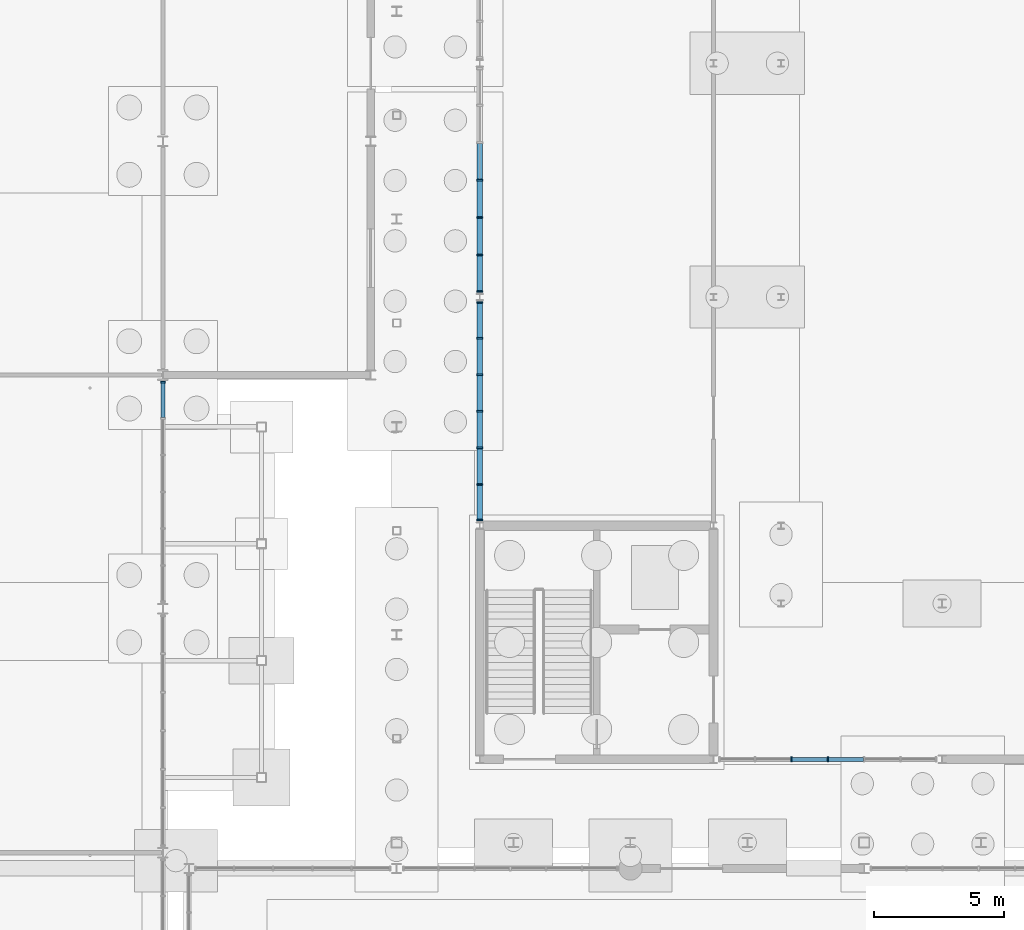
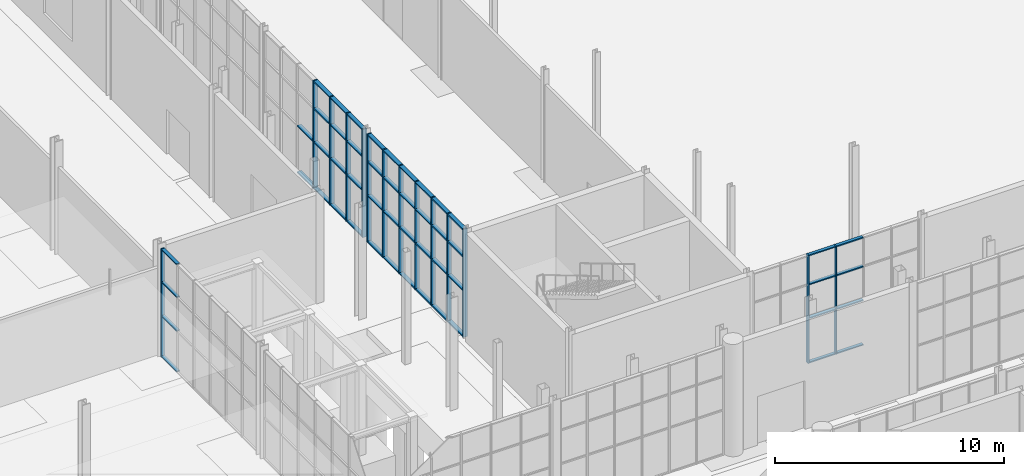
# One storey, part 52 of 131: 64 members, 4 elements without a shape of their own.
"""IFC4 building model written with IfcOpenShell, lengths in metres."""

from ifc_helpers import new_model, si_unit, direction, frame, origin, origin_2d, place, context, subcontext, project, spatial, rectangle, extrude, material, layer, layer_set, material_profile, profile_set, type_object, element, aggregate, save


model = new_model("IFC4")

# Units and contexts
model_context = context("Model", 3, precision=1e-05, world=origin(), true_north=direction((0.0, 1.0)))
body_context = subcontext(model_context, "Body", "Model", "MODEL_VIEW")
ifc_project = project(units=[si_unit("LENGTHUNIT", "METRE"), si_unit("AREAUNIT", "SQUARE_METRE"), si_unit("VOLUMEUNIT", "CUBIC_METRE"), si_unit("PLANEANGLEUNIT", "RADIAN"), si_unit("MASSUNIT", "GRAM", prefix="KILO")], contexts=[model_context])

# Site, building, storey
site_placement = place(None, origin())
site = spatial("IfcSite", under=ifc_project, at=site_placement, CompositionType="ELEMENT")
building_placement = place(site_placement, origin())
building = spatial("IfcBuilding", under=site, at=building_placement, Name="Cazmaro Siding Exhibition Halls", CompositionType="ELEMENT")
storey_placement = place(building_placement, origin())
storey = spatial("IfcBuildingStorey", under=building, at=storey_placement, Name="L00", CompositionType="ELEMENT", Elevation=0.0)

# Curtain wall, members
ifc_material_1 = material(Name="Anodized Bronze Aluminum and Solar-Control Low-E Glazing", Category="aluminium")
ifc_layer_1 = layer(ifc_material_1, 0.179931640625)
ifc_layer_set_1 = layer_set([ifc_layer_1], Name="Anodized Bronze Aluminum and Solar-Control Low-E Glazing")
curtain_wall_type_1 = type_object("IfcCurtainWallType", Name="CWS-01", PredefinedType="USERDEFINED", material=ifc_layer_set_1)
curtain_wall_1_placement = place(storey_placement, origin())
curtain_wall_1 = element("IfcCurtainWall", 1, at=curtain_wall_1_placement, inside=storey, type_object=curtain_wall_type_1, Name="Glazed Curtain Wall CWS-01 CW-003", ObjectType="GLAZED CURTAIN WALL", PredefinedType="USERDEFINED")
ifc_material_2 = material(Name="Anodized Bronze Extruded Aluminum", Category="aluminium")
ifc_material_profile_1 = material_profile(ifc_material_2, rectangle(XDim=0.179931640625, YDim=0.06005859375, at=origin_2d()), Name="CWM-01")
ifc_profile_set_1 = profile_set([ifc_material_profile_1], Name="Anodized Bronze Extruded Aluminum")
member_type_1 = type_object("IfcMemberType", Name="CWM-01", PredefinedType="MULLION", material=ifc_profile_set_1)
member_1_placement = place(storey_placement, frame((60.198974609375, 67.199951171875, 0.0), z_axis=(0.0, 0.0, 1.0), x_axis=(0.0, 1.0, 0.0)))
member_1 = element("IfcMember", 2, at=member_1_placement, type_object=member_type_1, Name="CWS-01 mullion 3", PredefinedType="MULLION", context=body_context, shape_type="SweptSolid", body=[
    extrude(rectangle(XDim=0.179931640625, YDim=0.06005859375, at=origin_2d()), origin(), (0.0, 0.0, 1.0), 5.780029296875),
])
member_2_placement = place(storey_placement, frame((61.60009765625, 67.199951171875, 0.0), z_axis=(0.0, 0.0, 1.0), x_axis=(0.0, 1.0, 0.0)))
member_2 = element("IfcMember", 3, at=member_2_placement, type_object=member_type_1, Name="CWS-01 mullion 4", PredefinedType="MULLION", context=body_context, shape_type="SweptSolid", body=[
    extrude(rectangle(XDim=0.179931640625, YDim=0.06005859375, at=origin_2d()), origin(), (0.0, 0.0, 1.0), 5.780029296875),
])

# Curtain wall, member
curtain_wall_2_placement = place(storey_placement, origin())
curtain_wall_2 = element("IfcCurtainWall", 4, at=curtain_wall_2_placement, inside=storey, type_object=curtain_wall_type_1, Name="Glazed Curtain Wall CWS-01 CW-226", ObjectType="GLAZED CURTAIN WALL", PredefinedType="USERDEFINED")
member_3_placement = place(storey_placement, frame((36.0, 81.717041015625, 0.0), z_axis=(0.0, 0.0, 1.0), x_axis=(-1.0, 0.0, 0.0)))
member_3 = element("IfcMember", 5, at=member_3_placement, type_object=member_type_1, Name="CWS-01 mullion 7", PredefinedType="MULLION", context=body_context, shape_type="SweptSolid", body=[
    extrude(rectangle(XDim=0.179931640625, YDim=0.06005859375, at=origin_2d()), origin(), (0.0, 0.0, 1.0), 5.780029296875),
])

# Curtain wall, members
ifc_material_3 = material(Name="Anodized Bronze Aluminum and Solar-Control Low-E Glazing", Category="aluminium")
ifc_layer_2 = layer(ifc_material_3, 0.219970703125)
ifc_layer_set_2 = layer_set([ifc_layer_2], Name="Anodized Bronze Aluminum and Solar-Control Low-E Glazing")
curtain_wall_type_2 = type_object("IfcCurtainWallType", Name="CWS-03", PredefinedType="USERDEFINED", material=ifc_layer_set_2)
curtain_wall_3_placement = place(storey_placement, origin())
curtain_wall_3 = element("IfcCurtainWall", 6, at=curtain_wall_3_placement, inside=storey, type_object=curtain_wall_type_2, Name="Glazed Curtain Wall CWS-03 CW-050", ObjectType="GLAZED CURTAIN WALL", PredefinedType="USERDEFINED")
ifc_material_4 = material(Name="Anodized Bronze Extruded Aluminum", Category="aluminium")
ifc_material_profile_2 = material_profile(ifc_material_4, rectangle(XDim=0.219970703125, YDim=0.070068359375, at=origin_2d()), Name="CWM-03")
ifc_profile_set_2 = profile_set([ifc_material_profile_2], Name="Anodized Bronze Extruded Aluminum")
member_type_2 = type_object("IfcMemberType", Name="CWM-03", PredefinedType="MULLION", material=ifc_profile_set_2)
member_4_placement = place(storey_placement, frame((48.199951171875, 84.7880859375, 0.0), z_axis=(0.0, 0.0, 1.0), x_axis=(1.0, 0.0, 0.0)))
member_4 = element("IfcMember", 7, at=member_4_placement, type_object=member_type_2, Name="CWS-03 mullion 1", PredefinedType="MULLION", context=body_context, shape_type="SweptSolid", body=[
    extrude(rectangle(XDim=0.219970703125, YDim=0.070068359375, at=origin_2d()), origin(), (0.0, 0.0, 1.0), 5.780029296875),
])
member_5_placement = place(storey_placement, frame((48.199951171875, 83.415283203125, 0.0), z_axis=(0.0, 0.0, 1.0), x_axis=(1.0, 0.0, 0.0)))
member_5 = element("IfcMember", 8, at=member_5_placement, type_object=member_type_2, Name="CWS-03 mullion 2", PredefinedType="MULLION", context=body_context, shape_type="SweptSolid", body=[
    extrude(rectangle(XDim=0.219970703125, YDim=0.070068359375, at=origin_2d()), origin(), (0.0, 0.0, 1.0), 5.780029296875),
])
member_6_placement = place(storey_placement, frame((48.199951171875, 82.007568359375, 0.0), z_axis=(0.0, 0.0, 1.0), x_axis=(1.0, 0.0, 0.0)))
member_6 = element("IfcMember", 9, at=member_6_placement, type_object=member_type_2, Name="CWS-03 mullion 3", PredefinedType="MULLION", context=body_context, shape_type="SweptSolid", body=[
    extrude(rectangle(XDim=0.219970703125, YDim=0.070068359375, at=origin_2d()), origin(), (0.0, 0.0, 1.0), 5.780029296875),
])
member_7_placement = place(storey_placement, frame((48.199951171875, 80.60009765625, 0.0), z_axis=(0.0, 0.0, 1.0), x_axis=(1.0, 0.0, 0.0)))
member_7 = element("IfcMember", 10, at=member_7_placement, type_object=member_type_2, Name="CWS-03 mullion 4", PredefinedType="MULLION", context=body_context, shape_type="SweptSolid", body=[
    extrude(rectangle(XDim=0.219970703125, YDim=0.070068359375, at=origin_2d()), origin(), (0.0, 0.0, 1.0), 5.780029296875),
])
member_8_placement = place(storey_placement, frame((48.199951171875, 79.1923828125, 0.0), z_axis=(0.0, 0.0, 1.0), x_axis=(1.0, 0.0, 0.0)))
member_8 = element("IfcMember", 11, at=member_8_placement, type_object=member_type_2, Name="CWS-03 mullion 5", PredefinedType="MULLION", context=body_context, shape_type="SweptSolid", body=[
    extrude(rectangle(XDim=0.219970703125, YDim=0.070068359375, at=origin_2d()), origin(), (0.0, 0.0, 1.0), 5.780029296875),
])
member_9_placement = place(storey_placement, frame((48.199951171875, 77.78466796875, 0.0), z_axis=(0.0, 0.0, 1.0), x_axis=(1.0, 0.0, 0.0)))
member_9 = element("IfcMember", 12, at=member_9_placement, type_object=member_type_2, Name="CWS-03 mullion 6", PredefinedType="MULLION", context=body_context, shape_type="SweptSolid", body=[
    extrude(rectangle(XDim=0.219970703125, YDim=0.070068359375, at=origin_2d()), origin(), (0.0, 0.0, 1.0), 5.780029296875),
])
member_10_placement = place(storey_placement, frame((48.199951171875, 76.412109375, 0.0), z_axis=(0.0, 0.0, 1.0), x_axis=(1.0, 0.0, 0.0)))
member_10 = element("IfcMember", 13, at=member_10_placement, type_object=member_type_2, Name="CWS-03 mullion 7", PredefinedType="MULLION", context=body_context, shape_type="SweptSolid", body=[
    extrude(rectangle(XDim=0.219970703125, YDim=0.070068359375, at=origin_2d()), origin(), (0.0, 0.0, 1.0), 5.780029296875),
])

curtain_wall_4_placement = place(storey_placement, origin())
curtain_wall_4 = element("IfcCurtainWall", 14, at=curtain_wall_4_placement, inside=storey, type_object=curtain_wall_type_2, Name="Glazed Curtain Wall CWS-03 CW-053", ObjectType="GLAZED CURTAIN WALL", PredefinedType="USERDEFINED")
member_11_placement = place(storey_placement, frame((48.199951171875, 89.5, 0.0), z_axis=(0.0, 0.0, 1.0), x_axis=(1.0, 0.0, 0.0)))
member_11 = element("IfcMember", 15, at=member_11_placement, type_object=member_type_2, Name="CWS-03 mullion 4", PredefinedType="MULLION", context=body_context, shape_type="SweptSolid", body=[
    extrude(rectangle(XDim=0.219970703125, YDim=0.070068359375, at=origin_2d()), origin(), (0.0, 0.0, 1.0), 5.780029296875),
])
member_12_placement = place(storey_placement, frame((48.199951171875, 88.05908203125, 0.0), z_axis=(0.0, 0.0, 1.0), x_axis=(1.0, 0.0, 0.0)))
member_12 = element("IfcMember", 16, at=member_12_placement, type_object=member_type_2, Name="CWS-03 mullion 5", PredefinedType="MULLION", context=body_context, shape_type="SweptSolid", body=[
    extrude(rectangle(XDim=0.219970703125, YDim=0.070068359375, at=origin_2d()), origin(), (0.0, 0.0, 1.0), 5.780029296875),
])
member_13_placement = place(storey_placement, frame((48.199951171875, 86.617919921875, 0.0), z_axis=(0.0, 0.0, 1.0), x_axis=(1.0, 0.0, 0.0)))
member_13 = element("IfcMember", 17, at=member_13_placement, type_object=member_type_2, Name="CWS-03 mullion 6", PredefinedType="MULLION", context=body_context, shape_type="SweptSolid", body=[
    extrude(rectangle(XDim=0.219970703125, YDim=0.070068359375, at=origin_2d()), origin(), (0.0, 0.0, 1.0), 5.780029296875),
])
member_14_placement = place(storey_placement, frame((48.199951171875, 85.2119140625, 0.0), z_axis=(0.0, 0.0, 1.0), x_axis=(1.0, 0.0, 0.0)))
member_14 = element("IfcMember", 18, at=member_14_placement, type_object=member_type_2, Name="CWS-03 mullion 7", PredefinedType="MULLION", context=body_context, shape_type="SweptSolid", body=[
    extrude(rectangle(XDim=0.219970703125, YDim=0.070068359375, at=origin_2d()), origin(), (0.0, 0.0, 1.0), 5.780029296875),
])

# Member
ifc_material_5 = material(Name="Anodized Bronze Extruded Aluminum", Category="aluminium")
ifc_material_profile_3 = material_profile(ifc_material_5, rectangle(XDim=0.159912109375, YDim=0.06005859375, at=origin_2d()), Name="CWT-01")
ifc_profile_set_3 = profile_set([ifc_material_profile_3], Name="Anodized Bronze Extruded Aluminum")
member_type_3 = type_object("IfcMemberType", Name="CWT-01", PredefinedType="MULLION", material=ifc_profile_set_3)
member_15_placement = place(storey_placement, frame((60.22900390625, 67.199951171875, 0.030029296875), z_axis=(1.0, 0.0, 0.0), x_axis=(0.0, 1.0, 0.0)))
member_15 = element("IfcMember", 19, at=member_15_placement, type_object=member_type_3, Name="CWS-01 transom 3.1", ObjectType="TRANSOM", PredefinedType="USERDEFINED", context=body_context, shape_type="SweptSolid", body=[
    extrude(rectangle(XDim=0.159912109375, YDim=0.06005859375, at=origin_2d()), origin(), (0.0, 0.0, 1.0), 1.341064453125),
])

member_16_placement = place(storey_placement, frame((60.22900390625, 67.199951171875, 2.39990234375), z_axis=(1.0, 0.0, 0.0), x_axis=(0.0, 1.0, 0.0)))
member_16 = element("IfcMember", 20, at=member_16_placement, type_object=member_type_3, Name="CWS-01 transom 3.2", ObjectType="TRANSOM", PredefinedType="USERDEFINED", context=body_context, shape_type="SweptSolid", body=[
    extrude(rectangle(XDim=0.159912109375, YDim=0.06005859375, at=origin_2d()), origin(), (0.0, 0.0, 1.0), 1.341064453125),
])

member_17_placement = place(storey_placement, frame((60.22900390625, 67.199951171875, 4.199951171875), z_axis=(1.0, 0.0, 0.0), x_axis=(0.0, 1.0, 0.0)))
member_17 = element("IfcMember", 21, at=member_17_placement, type_object=member_type_3, Name="CWS-01 transom 3.3", ObjectType="TRANSOM", PredefinedType="USERDEFINED", context=body_context, shape_type="SweptSolid", body=[
    extrude(rectangle(XDim=0.159912109375, YDim=0.06005859375, at=origin_2d()), origin(), (0.0, 0.0, 1.0), 1.341064453125),
])

member_18_placement = place(storey_placement, frame((60.22900390625, 67.199951171875, 5.75), z_axis=(1.0, 0.0, 0.0), x_axis=(0.0, 1.0, 0.0)))
member_18 = element("IfcMember", 22, at=member_18_placement, type_object=member_type_3, Name="CWS-01 transom 3.4", ObjectType="TRANSOM", PredefinedType="USERDEFINED", context=body_context, shape_type="SweptSolid", body=[
    extrude(rectangle(XDim=0.159912109375, YDim=0.06005859375, at=origin_2d()), origin(), (0.0, 0.0, 1.0), 1.341064453125),
])

member_19_placement = place(storey_placement, frame((61.6298828125, 67.199951171875, 0.030029296875), z_axis=(1.0, 0.0, 0.0), x_axis=(0.0, 1.0, 0.0)))
member_19 = element("IfcMember", 23, at=member_19_placement, type_object=member_type_3, Name="CWS-01 transom 4.1", ObjectType="TRANSOM", PredefinedType="USERDEFINED", context=body_context, shape_type="SweptSolid", body=[
    extrude(rectangle(XDim=0.159912109375, YDim=0.06005859375, at=origin_2d()), origin(), (0.0, 0.0, 1.0), 1.341064453125),
])

member_20_placement = place(storey_placement, frame((61.6298828125, 67.199951171875, 2.39990234375), z_axis=(1.0, 0.0, 0.0), x_axis=(0.0, 1.0, 0.0)))
member_20 = element("IfcMember", 24, at=member_20_placement, type_object=member_type_3, Name="CWS-01 transom 4.2", ObjectType="TRANSOM", PredefinedType="USERDEFINED", context=body_context, shape_type="SweptSolid", body=[
    extrude(rectangle(XDim=0.159912109375, YDim=0.06005859375, at=origin_2d()), origin(), (0.0, 0.0, 1.0), 1.341064453125),
])

member_21_placement = place(storey_placement, frame((61.6298828125, 67.199951171875, 4.199951171875), z_axis=(1.0, 0.0, 0.0), x_axis=(0.0, 1.0, 0.0)))
member_21 = element("IfcMember", 25, at=member_21_placement, type_object=member_type_3, Name="CWS-01 transom 4.3", ObjectType="TRANSOM", PredefinedType="USERDEFINED", context=body_context, shape_type="SweptSolid", body=[
    extrude(rectangle(XDim=0.159912109375, YDim=0.06005859375, at=origin_2d()), origin(), (0.0, 0.0, 1.0), 1.341064453125),
])

member_22_placement = place(storey_placement, frame((61.6298828125, 67.199951171875, 5.75), z_axis=(1.0, 0.0, 0.0), x_axis=(0.0, 1.0, 0.0)))
member_22 = element("IfcMember", 26, at=member_22_placement, type_object=member_type_3, Name="CWS-01 transom 4.4", ObjectType="TRANSOM", PredefinedType="USERDEFINED", context=body_context, shape_type="SweptSolid", body=[
    extrude(rectangle(XDim=0.159912109375, YDim=0.06005859375, at=origin_2d()), origin(), (0.0, 0.0, 1.0), 1.341064453125),
])

aggregate(curtain_wall_1, [member_1, member_2, member_15, member_16, member_17, member_18, member_19, member_20, member_21, member_22])

member_23_placement = place(storey_placement, frame((36.0, 80.361328125, 0.030029296875), z_axis=(0.0, 1.0, 0.0), x_axis=(-1.0, 0.0, 0.0)))
member_23 = element("IfcMember", 27, at=member_23_placement, type_object=member_type_3, Name="CWS-01 transom 6.1", ObjectType="TRANSOM", PredefinedType="USERDEFINED", context=body_context, shape_type="SweptSolid", body=[
    extrude(rectangle(XDim=0.159912109375, YDim=0.06005859375, at=origin_2d()), origin(), (0.0, 0.0, 1.0), 1.32568359375),
])

member_24_placement = place(storey_placement, frame((36.0, 80.361328125, 2.199951171875), z_axis=(0.0, 1.0, 0.0), x_axis=(-1.0, 0.0, 0.0)))
member_24 = element("IfcMember", 28, at=member_24_placement, type_object=member_type_3, Name="CWS-01 transom 6.2", ObjectType="TRANSOM", PredefinedType="USERDEFINED", context=body_context, shape_type="SweptSolid", body=[
    extrude(rectangle(XDim=0.159912109375, YDim=0.06005859375, at=origin_2d()), origin(), (0.0, 0.0, 1.0), 1.32568359375),
])

member_25_placement = place(storey_placement, frame((36.0, 80.361328125, 4.0), z_axis=(0.0, 1.0, 0.0), x_axis=(-1.0, 0.0, 0.0)))
member_25 = element("IfcMember", 29, at=member_25_placement, type_object=member_type_3, Name="CWS-01 transom 6.3", ObjectType="TRANSOM", PredefinedType="USERDEFINED", context=body_context, shape_type="SweptSolid", body=[
    extrude(rectangle(XDim=0.159912109375, YDim=0.06005859375, at=origin_2d()), origin(), (0.0, 0.0, 1.0), 1.32568359375),
])

member_26_placement = place(storey_placement, frame((36.0, 80.361328125, 5.75), z_axis=(0.0, 1.0, 0.0), x_axis=(-1.0, 0.0, 0.0)))
member_26 = element("IfcMember", 30, at=member_26_placement, type_object=member_type_3, Name="CWS-01 transom 6.4", ObjectType="TRANSOM", PredefinedType="USERDEFINED", context=body_context, shape_type="SweptSolid", body=[
    extrude(rectangle(XDim=0.159912109375, YDim=0.06005859375, at=origin_2d()), origin(), (0.0, 0.0, 1.0), 1.32568359375),
])

aggregate(curtain_wall_2, [member_3, member_23, member_24, member_25, member_26])

ifc_material_6 = material(Name="Anodized Bronze Extruded Aluminum", Category="aluminium")
ifc_material_profile_4 = material_profile(ifc_material_6, rectangle(XDim=0.199951171875, YDim=0.070068359375, at=origin_2d()), Name="CWT-03")
ifc_profile_set_4 = profile_set([ifc_material_profile_4], Name="Anodized Bronze Extruded Aluminum")
member_type_4 = type_object("IfcMemberType", Name="CWT-03", PredefinedType="MULLION", material=ifc_profile_set_4)
member_27_placement = place(storey_placement, frame((48.199951171875, 84.7529296875, 0.034912109375), z_axis=(0.0, -1.0, 0.0), x_axis=(1.0, 0.0, 0.0)))
member_27 = element("IfcMember", 31, at=member_27_placement, type_object=member_type_4, Name="CWS-03 transom 1.1", ObjectType="TRANSOM", PredefinedType="USERDEFINED", context=body_context, shape_type="SweptSolid", body=[
    extrude(rectangle(XDim=0.199951171875, YDim=0.070068359375, at=origin_2d()), origin(), (0.0, 0.0, 1.0), 1.302490234375),
])

member_28_placement = place(storey_placement, frame((48.199951171875, 84.7529296875, 2.5), z_axis=(0.0, -1.0, 0.0), x_axis=(1.0, 0.0, 0.0)))
member_28 = element("IfcMember", 32, at=member_28_placement, type_object=member_type_4, Name="CWS-03 transom 1.2", ObjectType="TRANSOM", PredefinedType="USERDEFINED", context=body_context, shape_type="SweptSolid", body=[
    extrude(rectangle(XDim=0.199951171875, YDim=0.070068359375, at=origin_2d()), origin(), (0.0, 0.0, 1.0), 1.302490234375),
])

member_29_placement = place(storey_placement, frame((48.199951171875, 84.7529296875, 4.300048828125), z_axis=(0.0, -1.0, 0.0), x_axis=(1.0, 0.0, 0.0)))
member_29 = element("IfcMember", 33, at=member_29_placement, type_object=member_type_4, Name="CWS-03 transom 1.3", ObjectType="TRANSOM", PredefinedType="USERDEFINED", context=body_context, shape_type="SweptSolid", body=[
    extrude(rectangle(XDim=0.199951171875, YDim=0.070068359375, at=origin_2d()), origin(), (0.0, 0.0, 1.0), 1.302490234375),
])

member_30_placement = place(storey_placement, frame((48.199951171875, 84.7529296875, 5.7451171875), z_axis=(0.0, -1.0, 0.0), x_axis=(1.0, 0.0, 0.0)))
member_30 = element("IfcMember", 34, at=member_30_placement, type_object=member_type_4, Name="CWS-03 transom 1.4", ObjectType="TRANSOM", PredefinedType="USERDEFINED", context=body_context, shape_type="SweptSolid", body=[
    extrude(rectangle(XDim=0.199951171875, YDim=0.070068359375, at=origin_2d()), origin(), (0.0, 0.0, 1.0), 1.302490234375),
])

member_31_placement = place(storey_placement, frame((48.199951171875, 83.38037109375, 0.034912109375), z_axis=(0.0, -1.0, 0.0), x_axis=(1.0, 0.0, 0.0)))
member_31 = element("IfcMember", 35, at=member_31_placement, type_object=member_type_4, Name="CWS-03 transom 2.1", ObjectType="TRANSOM", PredefinedType="USERDEFINED", context=body_context, shape_type="SweptSolid", body=[
    extrude(rectangle(XDim=0.199951171875, YDim=0.070068359375, at=origin_2d()), origin(), (0.0, 0.0, 1.0), 1.337646484375),
])

member_32_placement = place(storey_placement, frame((48.199951171875, 83.38037109375, 2.5), z_axis=(0.0, -1.0, 0.0), x_axis=(1.0, 0.0, 0.0)))
member_32 = element("IfcMember", 36, at=member_32_placement, type_object=member_type_4, Name="CWS-03 transom 2.2", ObjectType="TRANSOM", PredefinedType="USERDEFINED", context=body_context, shape_type="SweptSolid", body=[
    extrude(rectangle(XDim=0.199951171875, YDim=0.070068359375, at=origin_2d()), origin(), (0.0, 0.0, 1.0), 1.337646484375),
])

member_33_placement = place(storey_placement, frame((48.199951171875, 83.38037109375, 4.300048828125), z_axis=(0.0, -1.0, 0.0), x_axis=(1.0, 0.0, 0.0)))
member_33 = element("IfcMember", 37, at=member_33_placement, type_object=member_type_4, Name="CWS-03 transom 2.3", ObjectType="TRANSOM", PredefinedType="USERDEFINED", context=body_context, shape_type="SweptSolid", body=[
    extrude(rectangle(XDim=0.199951171875, YDim=0.070068359375, at=origin_2d()), origin(), (0.0, 0.0, 1.0), 1.337646484375),
])

member_34_placement = place(storey_placement, frame((48.199951171875, 83.38037109375, 5.7451171875), z_axis=(0.0, -1.0, 0.0), x_axis=(1.0, 0.0, 0.0)))
member_34 = element("IfcMember", 38, at=member_34_placement, type_object=member_type_4, Name="CWS-03 transom 2.4", ObjectType="TRANSOM", PredefinedType="USERDEFINED", context=body_context, shape_type="SweptSolid", body=[
    extrude(rectangle(XDim=0.199951171875, YDim=0.070068359375, at=origin_2d()), origin(), (0.0, 0.0, 1.0), 1.337646484375),
])

member_35_placement = place(storey_placement, frame((48.199951171875, 81.97265625, 0.034912109375), z_axis=(0.0, -1.0, 0.0), x_axis=(1.0, 0.0, 0.0)))
member_35 = element("IfcMember", 39, at=member_35_placement, type_object=member_type_4, Name="CWS-03 transom 3.1", ObjectType="TRANSOM", PredefinedType="USERDEFINED", context=body_context, shape_type="SweptSolid", body=[
    extrude(rectangle(XDim=0.199951171875, YDim=0.070068359375, at=origin_2d()), origin(), (0.0, 0.0, 1.0), 1.337646484375),
])

member_36_placement = place(storey_placement, frame((48.199951171875, 81.97265625, 2.5), z_axis=(0.0, -1.0, 0.0), x_axis=(1.0, 0.0, 0.0)))
member_36 = element("IfcMember", 40, at=member_36_placement, type_object=member_type_4, Name="CWS-03 transom 3.2", ObjectType="TRANSOM", PredefinedType="USERDEFINED", context=body_context, shape_type="SweptSolid", body=[
    extrude(rectangle(XDim=0.199951171875, YDim=0.070068359375, at=origin_2d()), origin(), (0.0, 0.0, 1.0), 1.337646484375),
])

member_37_placement = place(storey_placement, frame((48.199951171875, 81.97265625, 4.300048828125), z_axis=(0.0, -1.0, 0.0), x_axis=(1.0, 0.0, 0.0)))
member_37 = element("IfcMember", 41, at=member_37_placement, type_object=member_type_4, Name="CWS-03 transom 3.3", ObjectType="TRANSOM", PredefinedType="USERDEFINED", context=body_context, shape_type="SweptSolid", body=[
    extrude(rectangle(XDim=0.199951171875, YDim=0.070068359375, at=origin_2d()), origin(), (0.0, 0.0, 1.0), 1.337646484375),
])

member_38_placement = place(storey_placement, frame((48.199951171875, 81.97265625, 5.7451171875), z_axis=(0.0, -1.0, 0.0), x_axis=(1.0, 0.0, 0.0)))
member_38 = element("IfcMember", 42, at=member_38_placement, type_object=member_type_4, Name="CWS-03 transom 3.4", ObjectType="TRANSOM", PredefinedType="USERDEFINED", context=body_context, shape_type="SweptSolid", body=[
    extrude(rectangle(XDim=0.199951171875, YDim=0.070068359375, at=origin_2d()), origin(), (0.0, 0.0, 1.0), 1.337646484375),
])

member_39_placement = place(storey_placement, frame((48.199951171875, 80.56494140625, 0.034912109375), z_axis=(0.0, -1.0, 0.0), x_axis=(1.0, 0.0, 0.0)))
member_39 = element("IfcMember", 43, at=member_39_placement, type_object=member_type_4, Name="CWS-03 transom 4.1", ObjectType="TRANSOM", PredefinedType="USERDEFINED", context=body_context, shape_type="SweptSolid", body=[
    extrude(rectangle(XDim=0.199951171875, YDim=0.070068359375, at=origin_2d()), origin(), (0.0, 0.0, 1.0), 1.337646484375),
])

member_40_placement = place(storey_placement, frame((48.199951171875, 80.56494140625, 2.5), z_axis=(0.0, -1.0, 0.0), x_axis=(1.0, 0.0, 0.0)))
member_40 = element("IfcMember", 44, at=member_40_placement, type_object=member_type_4, Name="CWS-03 transom 4.2", ObjectType="TRANSOM", PredefinedType="USERDEFINED", context=body_context, shape_type="SweptSolid", body=[
    extrude(rectangle(XDim=0.199951171875, YDim=0.070068359375, at=origin_2d()), origin(), (0.0, 0.0, 1.0), 1.337646484375),
])

member_41_placement = place(storey_placement, frame((48.199951171875, 80.56494140625, 4.300048828125), z_axis=(0.0, -1.0, 0.0), x_axis=(1.0, 0.0, 0.0)))
member_41 = element("IfcMember", 45, at=member_41_placement, type_object=member_type_4, Name="CWS-03 transom 4.3", ObjectType="TRANSOM", PredefinedType="USERDEFINED", context=body_context, shape_type="SweptSolid", body=[
    extrude(rectangle(XDim=0.199951171875, YDim=0.070068359375, at=origin_2d()), origin(), (0.0, 0.0, 1.0), 1.337646484375),
])

member_42_placement = place(storey_placement, frame((48.199951171875, 80.56494140625, 5.7451171875), z_axis=(0.0, -1.0, 0.0), x_axis=(1.0, 0.0, 0.0)))
member_42 = element("IfcMember", 46, at=member_42_placement, type_object=member_type_4, Name="CWS-03 transom 4.4", ObjectType="TRANSOM", PredefinedType="USERDEFINED", context=body_context, shape_type="SweptSolid", body=[
    extrude(rectangle(XDim=0.199951171875, YDim=0.070068359375, at=origin_2d()), origin(), (0.0, 0.0, 1.0), 1.337646484375),
])

member_43_placement = place(storey_placement, frame((48.199951171875, 79.1572265625, 0.034912109375), z_axis=(0.0, -1.0, 0.0), x_axis=(1.0, 0.0, 0.0)))
member_43 = element("IfcMember", 47, at=member_43_placement, type_object=member_type_4, Name="CWS-03 transom 5.1", ObjectType="TRANSOM", PredefinedType="USERDEFINED", context=body_context, shape_type="SweptSolid", body=[
    extrude(rectangle(XDim=0.199951171875, YDim=0.070068359375, at=origin_2d()), origin(), (0.0, 0.0, 1.0), 1.337646484375),
])

member_44_placement = place(storey_placement, frame((48.199951171875, 79.1572265625, 2.5), z_axis=(0.0, -1.0, 0.0), x_axis=(1.0, 0.0, 0.0)))
member_44 = element("IfcMember", 48, at=member_44_placement, type_object=member_type_4, Name="CWS-03 transom 5.2", ObjectType="TRANSOM", PredefinedType="USERDEFINED", context=body_context, shape_type="SweptSolid", body=[
    extrude(rectangle(XDim=0.199951171875, YDim=0.070068359375, at=origin_2d()), origin(), (0.0, 0.0, 1.0), 1.337646484375),
])

member_45_placement = place(storey_placement, frame((48.199951171875, 79.1572265625, 4.300048828125), z_axis=(0.0, -1.0, 0.0), x_axis=(1.0, 0.0, 0.0)))
member_45 = element("IfcMember", 49, at=member_45_placement, type_object=member_type_4, Name="CWS-03 transom 5.3", ObjectType="TRANSOM", PredefinedType="USERDEFINED", context=body_context, shape_type="SweptSolid", body=[
    extrude(rectangle(XDim=0.199951171875, YDim=0.070068359375, at=origin_2d()), origin(), (0.0, 0.0, 1.0), 1.337646484375),
])

member_46_placement = place(storey_placement, frame((48.199951171875, 79.1572265625, 5.7451171875), z_axis=(0.0, -1.0, 0.0), x_axis=(1.0, 0.0, 0.0)))
member_46 = element("IfcMember", 50, at=member_46_placement, type_object=member_type_4, Name="CWS-03 transom 5.4", ObjectType="TRANSOM", PredefinedType="USERDEFINED", context=body_context, shape_type="SweptSolid", body=[
    extrude(rectangle(XDim=0.199951171875, YDim=0.070068359375, at=origin_2d()), origin(), (0.0, 0.0, 1.0), 1.337646484375),
])

member_47_placement = place(storey_placement, frame((48.199951171875, 77.749755859375, 0.034912109375), z_axis=(0.0, -1.0, 0.0), x_axis=(1.0, 0.0, 0.0)))
member_47 = element("IfcMember", 51, at=member_47_placement, type_object=member_type_4, Name="CWS-03 transom 6.1", ObjectType="TRANSOM", PredefinedType="USERDEFINED", context=body_context, shape_type="SweptSolid", body=[
    extrude(rectangle(XDim=0.199951171875, YDim=0.070068359375, at=origin_2d()), origin(), (0.0, 0.0, 1.0), 1.302734375),
])

member_48_placement = place(storey_placement, frame((48.199951171875, 77.749755859375, 2.5), z_axis=(0.0, -1.0, 0.0), x_axis=(1.0, 0.0, 0.0)))
member_48 = element("IfcMember", 52, at=member_48_placement, type_object=member_type_4, Name="CWS-03 transom 6.2", ObjectType="TRANSOM", PredefinedType="USERDEFINED", context=body_context, shape_type="SweptSolid", body=[
    extrude(rectangle(XDim=0.199951171875, YDim=0.070068359375, at=origin_2d()), origin(), (0.0, 0.0, 1.0), 1.302734375),
])

member_49_placement = place(storey_placement, frame((48.199951171875, 77.749755859375, 4.300048828125), z_axis=(0.0, -1.0, 0.0), x_axis=(1.0, 0.0, 0.0)))
member_49 = element("IfcMember", 53, at=member_49_placement, type_object=member_type_4, Name="CWS-03 transom 6.3", ObjectType="TRANSOM", PredefinedType="USERDEFINED", context=body_context, shape_type="SweptSolid", body=[
    extrude(rectangle(XDim=0.199951171875, YDim=0.070068359375, at=origin_2d()), origin(), (0.0, 0.0, 1.0), 1.302734375),
])

member_50_placement = place(storey_placement, frame((48.199951171875, 77.749755859375, 5.7451171875), z_axis=(0.0, -1.0, 0.0), x_axis=(1.0, 0.0, 0.0)))
member_50 = element("IfcMember", 54, at=member_50_placement, type_object=member_type_4, Name="CWS-03 transom 6.4", ObjectType="TRANSOM", PredefinedType="USERDEFINED", context=body_context, shape_type="SweptSolid", body=[
    extrude(rectangle(XDim=0.199951171875, YDim=0.070068359375, at=origin_2d()), origin(), (0.0, 0.0, 1.0), 1.302734375),
])

aggregate(curtain_wall_3, [member_4, member_5, member_6, member_7, member_8, member_9, member_10, member_27, member_28, member_29, member_30, member_31, member_32, member_33, member_34, member_35, member_36, member_37, member_38, member_39, member_40, member_41, member_42, member_43, member_44, member_45, member_46, member_47, member_48, member_49, member_50])

member_51_placement = place(storey_placement, frame((48.199951171875, 90.906005859375, 0.034912109375), z_axis=(0.0, -1.0, 0.0), x_axis=(1.0, 0.0, 0.0)))
member_51 = element("IfcMember", 55, at=member_51_placement, type_object=member_type_4, Name="CWS-03 transom 3.1", ObjectType="TRANSOM", PredefinedType="USERDEFINED", context=body_context, shape_type="SweptSolid", body=[
    extrude(rectangle(XDim=0.199951171875, YDim=0.070068359375, at=origin_2d()), origin(), (0.0, 0.0, 1.0), 1.37109375),
])

member_52_placement = place(storey_placement, frame((48.199951171875, 90.906005859375, 2.5), z_axis=(0.0, -1.0, 0.0), x_axis=(1.0, 0.0, 0.0)))
member_52 = element("IfcMember", 56, at=member_52_placement, type_object=member_type_4, Name="CWS-03 transom 3.2", ObjectType="TRANSOM", PredefinedType="USERDEFINED", context=body_context, shape_type="SweptSolid", body=[
    extrude(rectangle(XDim=0.199951171875, YDim=0.070068359375, at=origin_2d()), origin(), (0.0, 0.0, 1.0), 1.37109375),
])

member_53_placement = place(storey_placement, frame((48.199951171875, 89.465087890625, 0.034912109375), z_axis=(0.0, -1.0, 0.0), x_axis=(1.0, 0.0, 0.0)))
member_53 = element("IfcMember", 57, at=member_53_placement, type_object=member_type_4, Name="CWS-03 transom 4.1", ObjectType="TRANSOM", PredefinedType="USERDEFINED", context=body_context, shape_type="SweptSolid", body=[
    extrude(rectangle(XDim=0.199951171875, YDim=0.070068359375, at=origin_2d()), origin(), (0.0, 0.0, 1.0), 1.37109375),
])

member_54_placement = place(storey_placement, frame((48.199951171875, 89.465087890625, 2.5), z_axis=(0.0, -1.0, 0.0), x_axis=(1.0, 0.0, 0.0)))
member_54 = element("IfcMember", 58, at=member_54_placement, type_object=member_type_4, Name="CWS-03 transom 4.2", ObjectType="TRANSOM", PredefinedType="USERDEFINED", context=body_context, shape_type="SweptSolid", body=[
    extrude(rectangle(XDim=0.199951171875, YDim=0.070068359375, at=origin_2d()), origin(), (0.0, 0.0, 1.0), 1.37109375),
])

member_55_placement = place(storey_placement, frame((48.199951171875, 89.465087890625, 4.300048828125), z_axis=(0.0, -1.0, 0.0), x_axis=(1.0, 0.0, 0.0)))
member_55 = element("IfcMember", 59, at=member_55_placement, type_object=member_type_4, Name="CWS-03 transom 4.3", ObjectType="TRANSOM", PredefinedType="USERDEFINED", context=body_context, shape_type="SweptSolid", body=[
    extrude(rectangle(XDim=0.199951171875, YDim=0.070068359375, at=origin_2d()), origin(), (0.0, 0.0, 1.0), 1.37109375),
])

member_56_placement = place(storey_placement, frame((48.199951171875, 89.465087890625, 5.7451171875), z_axis=(0.0, -1.0, 0.0), x_axis=(1.0, 0.0, 0.0)))
member_56 = element("IfcMember", 60, at=member_56_placement, type_object=member_type_4, Name="CWS-03 transom 4.4", ObjectType="TRANSOM", PredefinedType="USERDEFINED", context=body_context, shape_type="SweptSolid", body=[
    extrude(rectangle(XDim=0.199951171875, YDim=0.070068359375, at=origin_2d()), origin(), (0.0, 0.0, 1.0), 1.37109375),
])

member_57_placement = place(storey_placement, frame((48.199951171875, 88.02392578125, 0.034912109375), z_axis=(0.0, -1.0, 0.0), x_axis=(1.0, 0.0, 0.0)))
member_57 = element("IfcMember", 61, at=member_57_placement, type_object=member_type_4, Name="CWS-03 transom 5.1", ObjectType="TRANSOM", PredefinedType="USERDEFINED", context=body_context, shape_type="SweptSolid", body=[
    extrude(rectangle(XDim=0.199951171875, YDim=0.070068359375, at=origin_2d()), origin(), (0.0, 0.0, 1.0), 1.370849609375),
])

member_58_placement = place(storey_placement, frame((48.199951171875, 88.02392578125, 2.5), z_axis=(0.0, -1.0, 0.0), x_axis=(1.0, 0.0, 0.0)))
member_58 = element("IfcMember", 62, at=member_58_placement, type_object=member_type_4, Name="CWS-03 transom 5.2", ObjectType="TRANSOM", PredefinedType="USERDEFINED", context=body_context, shape_type="SweptSolid", body=[
    extrude(rectangle(XDim=0.199951171875, YDim=0.070068359375, at=origin_2d()), origin(), (0.0, 0.0, 1.0), 1.370849609375),
])

member_59_placement = place(storey_placement, frame((48.199951171875, 88.02392578125, 4.300048828125), z_axis=(0.0, -1.0, 0.0), x_axis=(1.0, 0.0, 0.0)))
member_59 = element("IfcMember", 63, at=member_59_placement, type_object=member_type_4, Name="CWS-03 transom 5.3", ObjectType="TRANSOM", PredefinedType="USERDEFINED", context=body_context, shape_type="SweptSolid", body=[
    extrude(rectangle(XDim=0.199951171875, YDim=0.070068359375, at=origin_2d()), origin(), (0.0, 0.0, 1.0), 1.370849609375),
])

member_60_placement = place(storey_placement, frame((48.199951171875, 88.02392578125, 5.7451171875), z_axis=(0.0, -1.0, 0.0), x_axis=(1.0, 0.0, 0.0)))
member_60 = element("IfcMember", 64, at=member_60_placement, type_object=member_type_4, Name="CWS-03 transom 5.4", ObjectType="TRANSOM", PredefinedType="USERDEFINED", context=body_context, shape_type="SweptSolid", body=[
    extrude(rectangle(XDim=0.199951171875, YDim=0.070068359375, at=origin_2d()), origin(), (0.0, 0.0, 1.0), 1.370849609375),
])

member_61_placement = place(storey_placement, frame((48.199951171875, 86.5830078125, 0.034912109375), z_axis=(0.0, -1.0, 0.0), x_axis=(1.0, 0.0, 0.0)))
member_61 = element("IfcMember", 65, at=member_61_placement, type_object=member_type_4, Name="CWS-03 transom 6.1", ObjectType="TRANSOM", PredefinedType="USERDEFINED", context=body_context, shape_type="SweptSolid", body=[
    extrude(rectangle(XDim=0.199951171875, YDim=0.070068359375, at=origin_2d()), origin(), (0.0, 0.0, 1.0), 1.3359375),
])

member_62_placement = place(storey_placement, frame((48.199951171875, 86.5830078125, 2.5), z_axis=(0.0, -1.0, 0.0), x_axis=(1.0, 0.0, 0.0)))
member_62 = element("IfcMember", 66, at=member_62_placement, type_object=member_type_4, Name="CWS-03 transom 6.2", ObjectType="TRANSOM", PredefinedType="USERDEFINED", context=body_context, shape_type="SweptSolid", body=[
    extrude(rectangle(XDim=0.199951171875, YDim=0.070068359375, at=origin_2d()), origin(), (0.0, 0.0, 1.0), 1.3359375),
])

member_63_placement = place(storey_placement, frame((48.199951171875, 86.5830078125, 4.300048828125), z_axis=(0.0, -1.0, 0.0), x_axis=(1.0, 0.0, 0.0)))
member_63 = element("IfcMember", 67, at=member_63_placement, type_object=member_type_4, Name="CWS-03 transom 6.3", ObjectType="TRANSOM", PredefinedType="USERDEFINED", context=body_context, shape_type="SweptSolid", body=[
    extrude(rectangle(XDim=0.199951171875, YDim=0.070068359375, at=origin_2d()), origin(), (0.0, 0.0, 1.0), 1.3359375),
])

member_64_placement = place(storey_placement, frame((48.199951171875, 86.5830078125, 5.7451171875), z_axis=(0.0, -1.0, 0.0), x_axis=(1.0, 0.0, 0.0)))
member_64 = element("IfcMember", 68, at=member_64_placement, type_object=member_type_4, Name="CWS-03 transom 6.4", ObjectType="TRANSOM", PredefinedType="USERDEFINED", context=body_context, shape_type="SweptSolid", body=[
    extrude(rectangle(XDim=0.199951171875, YDim=0.070068359375, at=origin_2d()), origin(), (0.0, 0.0, 1.0), 1.3359375),
])

aggregate(curtain_wall_4, [member_11, member_12, member_13, member_14, member_51, member_52, member_53, member_54, member_55, member_56, member_57, member_58, member_59, member_60, member_61, member_62, member_63, member_64])

save(model, "model.ifc")
